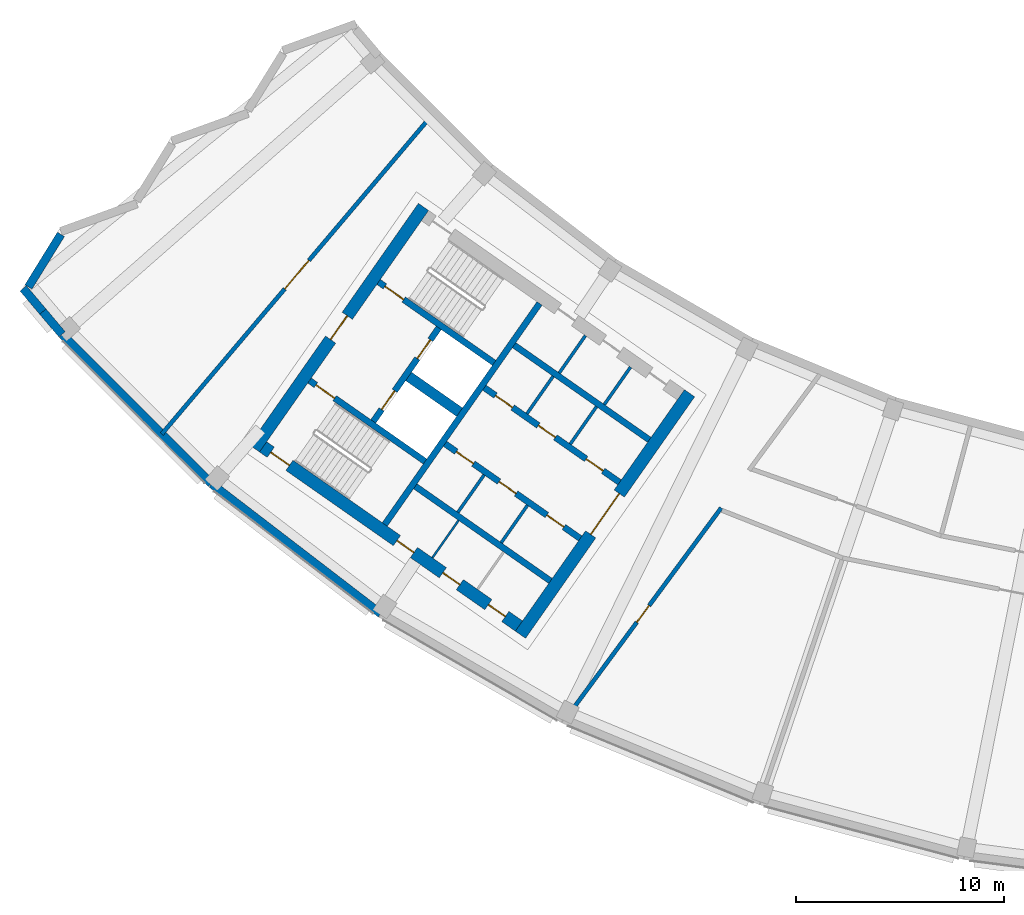
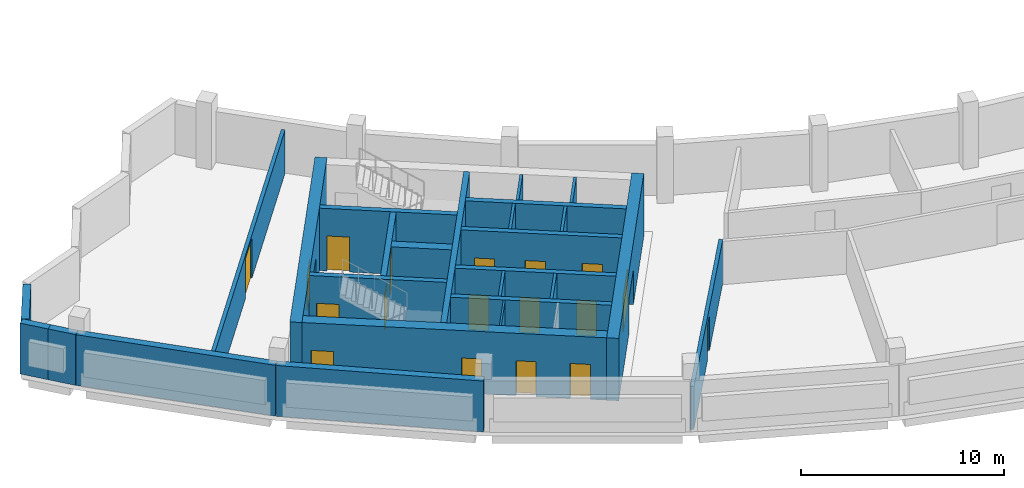
# One storey, part 3 of 11: 26 walls, 18 doors, 18 openings.
"""IFC4 building model written with IfcOpenShell, lengths in metres."""

from ifc_helpers import new_model, si_unit, direction, frame, frame_2d, origin, place, context, subcontext, project, spatial, rectangle, extrude, material, layer, layer_set, type_object, element, fill, save


model = new_model("IFC4")

# Units and contexts
model_context = context("Model", 3, precision=1e-05, world=origin(), true_north=direction((0.0, 1.0)))
body_context = subcontext(model_context, "Body", "Model", "MODEL_VIEW")
ifc_project = project(units=[si_unit("LENGTHUNIT", "METRE"), si_unit("AREAUNIT", "SQUARE_METRE"), si_unit("VOLUMEUNIT", "CUBIC_METRE"), si_unit("PLANEANGLEUNIT", "RADIAN"), si_unit("MASSUNIT", "GRAM", prefix="KILO")], contexts=[model_context])

# Site, building, storey
site_placement = place(None, origin())
site = spatial("IfcSite", under=ifc_project, at=site_placement, CompositionType="ELEMENT")
building_placement = place(site_placement, origin())
building = spatial("IfcBuilding", under=site, at=building_placement, Name="Qamariyya Broadcast Tower", CompositionType="ELEMENT")
storey_placement = place(building_placement, frame((0.0, 0.0, 306.699951171875)))
storey = spatial("IfcBuildingStorey", under=building, at=storey_placement, Name="L74", CompositionType="ELEMENT", Elevation=306.699951171875)

# Wall, opening, door
ifc_material_1 = material(Name="Concrete C60/75", Category="concrete")
ifc_layer_1 = layer(ifc_material_1, 0.60009765625)
ifc_layer_set_1 = layer_set([ifc_layer_1], Name="Core wall 600 mm Concrete C60/75")
wall_type_1 = type_object("IfcWallType", Name="Core wall 600 mm Concrete C60/75", PredefinedType="SHEAR", material=ifc_layer_set_1)
wall_1_placement = place(storey_placement, frame((-36.66748046875, -66.005126953125, 0.0), z_axis=(0.0, 0.0, 1.0), x_axis=(0.573568499524, 0.819157601658, 0.0)))
wall_1 = element("IfcWall", 1, at=wall_1_placement, inside=storey, type_object=wall_type_1, Name="k-W-L74-WA", PredefinedType="SHEAR", context=body_context, shape_type="SweptSolid", body=[
    extrude(rectangle(XDim=14.19970703125, YDim=0.60009765625, at=frame_2d((7.099853515625, 0.0))), origin(), (0.0, 0.0, 1.0), 3.75),
])
opening_1_placement = place(wall_1_placement, frame((5.89990234375, 0.0, 0.0)))
opening_1 = element("IfcOpeningElement", 2, at=opening_1_placement, cuts=wall_1, Name="Opening KD3-W1", PredefinedType="OPENING", context=body_context, shape_type="SweptSolid", body=[
    extrude(rectangle(XDim=2.39990234375, YDim=2.10009765625, at=frame_2d((1.199951171875, 1.050048828125))), frame((0.0, 0.31005859375, 0.0), z_axis=(0.0, -1.0, 0.0), x_axis=(1.0, 0.0, 0.0)), (0.0, 0.0, 1.0), 0.6201171875),
])
ifc_material_2 = material(Name="Steel fire-resisting door leaf", Category="steel")
door_type_1 = type_object("IfcDoorType", Name="Lift lobby door KD3", OperationType="DOUBLE_DOOR_SINGLE_SWING", PredefinedType="DOOR", material=ifc_material_2)
door_1_placement = place(opening_1_placement, origin())
door_1 = element("IfcDoor", 3, at=door_1_placement, inside=storey, type_object=door_type_1, Name="k-W-L74-WA-D1", OperationType="DOUBLE_DOOR_SINGLE_SWING", OverallHeight=2.10009765625, OverallWidth=2.39990234375, PredefinedType="DOOR", context=body_context, shape_type="SweptSolid", body=[
    extrude(rectangle(XDim=2.39990234375, YDim=2.10009765625, at=frame_2d((1.199951171875, 1.050048828125))), frame((0.0, 0.02490234375, 0.0), z_axis=(0.0, -1.0, 0.0), x_axis=(1.0, 0.0, 0.0)), (0.0, 0.0, 1.0), 0.050048828125),
])
fill(opening_1, door_1)

wall_2_placement = place(storey_placement, frame((-49.4833984375, -57.031494140625, 0.0), z_axis=(0.0, 0.0, 1.0), x_axis=(0.573560421458, 0.819163257805, 0.0)))
wall_2 = element("IfcWall", 4, at=wall_2_placement, inside=storey, type_object=wall_type_1, Name="k-W-L74-WH", PredefinedType="SHEAR", context=body_context, shape_type="SweptSolid", body=[
    extrude(rectangle(XDim=14.199951171875, YDim=0.60009765625, at=frame_2d((7.10009765625, 0.0))), origin(), (0.0, 0.0, 1.0), 3.75),
])
opening_2_placement = place(wall_2_placement, frame((6.39990234375, 0.0, 0.0)))
opening_2 = element("IfcOpeningElement", 5, at=opening_2_placement, cuts=wall_2, Name="Opening KD2-W1", PredefinedType="OPENING", context=body_context, shape_type="SweptSolid", body=[
    extrude(rectangle(XDim=1.39990234375, YDim=2.10009765625, at=frame_2d((0.699951171875, 1.050048828125))), frame((0.0, 0.31005859375, 0.0), z_axis=(0.0, -1.0, 0.0), x_axis=(1.0, 0.0, 0.0)), (0.0, 0.0, 1.0), 0.6201171875),
])
door_type_2 = type_object("IfcDoorType", Name="Fire-fighting lobby door KD2", OperationType="DOUBLE_DOOR_SINGLE_SWING", PredefinedType="DOOR", material=ifc_material_2)
door_2_placement = place(opening_2_placement, origin())
door_2 = element("IfcDoor", 6, at=door_2_placement, inside=storey, type_object=door_type_2, Name="k-W-L74-WH-D16", OperationType="DOUBLE_DOOR_SINGLE_SWING", OverallHeight=2.10009765625, OverallWidth=1.39990234375, PredefinedType="DOOR", context=body_context, shape_type="SweptSolid", body=[
    extrude(rectangle(XDim=1.39990234375, YDim=2.10009765625, at=frame_2d((0.699951171875, 1.050048828125))), frame((0.0, 0.02490234375, 0.0), z_axis=(0.0, -1.0, 0.0), x_axis=(1.0, 0.0, 0.0)), (0.0, 0.0, 1.0), 0.050048828125),
])
fill(opening_2, door_2)

# Wall, openings, doors
wall_3_placement = place(storey_placement, frame((-36.7412109375, -65.58740234375, 0.0), z_axis=(0.0, 0.0, 1.0), x_axis=(-0.819153391756, 0.573574511963, 0.0)))
wall_3 = element("IfcWall", 7, at=wall_3_placement, inside=storey, type_object=wall_type_1, Name="k-W-L74-WO", PredefinedType="SHEAR", context=body_context, shape_type="SweptSolid", body=[
    extrude(rectangle(XDim=15.04541015625, YDim=0.60009765625, at=frame_2d((7.522705078125, 0.0))), origin(), (0.0, 0.0, 1.0), 3.75),
])
opening_3_placement = place(wall_3_placement, frame((0.800048828125, 0.0, 0.0)))
opening_3 = element("IfcOpeningElement", 8, at=opening_3_placement, cuts=wall_3, Name="Opening KD4-W10", PredefinedType="OPENING", context=body_context, shape_type="SweptSolid", body=[
    extrude(rectangle(XDim=1.0, YDim=2.10009765625, at=frame_2d((0.5, 1.050048828125))), frame((0.0, 0.31005859375, 0.0), z_axis=(0.0, -1.0, 0.0), x_axis=(1.0, 0.0, 0.0)), (0.0, 0.0, 1.0), 0.6201171875),
])
opening_4_placement = place(wall_3_placement, frame((3.47509765625, 0.0, 0.0)))
opening_4 = element("IfcOpeningElement", 9, at=opening_4_placement, cuts=wall_3, Name="Opening KD4-W11", PredefinedType="OPENING", context=body_context, shape_type="SweptSolid", body=[
    extrude(rectangle(XDim=1.0, YDim=2.10009765625, at=frame_2d((0.5, 1.050048828125))), frame((0.0, 0.31005859375, 0.0), z_axis=(0.0, -1.0, 0.0), x_axis=(1.0, 0.0, 0.0)), (0.0, 0.0, 1.0), 0.6201171875),
])
opening_5_placement = place(wall_3_placement, frame((6.175048828125, 0.0, 0.0)))
opening_5 = element("IfcOpeningElement", 10, at=opening_5_placement, cuts=wall_3, Name="Opening KD4-W12", PredefinedType="OPENING", context=body_context, shape_type="SweptSolid", body=[
    extrude(rectangle(XDim=1.0, YDim=2.10009765625, at=frame_2d((0.5, 1.050048828125))), frame((0.0, 0.31005859375, 0.0), z_axis=(0.0, -1.0, 0.0), x_axis=(1.0, 0.0, 0.0)), (0.0, 0.0, 1.0), 0.6201171875),
])
opening_6_placement = place(wall_3_placement, frame((13.495361328125, 0.0, 0.0)))
opening_6 = element("IfcOpeningElement", 11, at=opening_6_placement, cuts=wall_3, Name="Opening KD1-W3", PredefinedType="OPENING", context=body_context, shape_type="SweptSolid", body=[
    extrude(rectangle(XDim=1.10009765625, YDim=2.10009765625, at=frame_2d((0.550048828125, 1.050048828125))), frame((0.0, 0.31005859375, 0.0), z_axis=(0.0, -1.0, 0.0), x_axis=(1.0, 0.0, 0.0)), (0.0, 0.0, 1.0), 0.6201171875),
])
door_type_3 = type_object("IfcDoorType", Name="Riser and plant door KD4", OperationType="SINGLE_SWING_LEFT", PredefinedType="DOOR", material=ifc_material_2)
door_3_placement = place(opening_3_placement, origin())
door_3 = element("IfcDoor", 12, at=door_3_placement, inside=storey, type_object=door_type_3, Name="k-W-L74-WO-D11", OperationType="SINGLE_SWING_RIGHT", OverallHeight=2.10009765625, OverallWidth=1.0, PredefinedType="DOOR", context=body_context, shape_type="SweptSolid", body=[
    extrude(rectangle(XDim=1.0, YDim=2.10009765625, at=frame_2d((0.5, 1.050048828125))), frame((0.0, 0.02490234375, 0.0), z_axis=(0.0, -1.0, 0.0), x_axis=(1.0, 0.0, 0.0)), (0.0, 0.0, 1.0), 0.050048828125),
])
fill(opening_3, door_3)
door_4_placement = place(opening_4_placement, origin())
door_4 = element("IfcDoor", 13, at=door_4_placement, inside=storey, type_object=door_type_3, Name="k-W-L74-WO-D12", OperationType="SINGLE_SWING_LEFT", OverallHeight=2.10009765625, OverallWidth=1.0, PredefinedType="DOOR", context=body_context, shape_type="SweptSolid", body=[
    extrude(rectangle(XDim=1.0, YDim=2.10009765625, at=frame_2d((0.5, 1.050048828125))), frame((0.0, 0.02490234375, 0.0), z_axis=(0.0, -1.0, 0.0), x_axis=(1.0, 0.0, 0.0)), (0.0, 0.0, 1.0), 0.050048828125),
])
fill(opening_4, door_4)
door_5_placement = place(opening_5_placement, origin())
door_5 = element("IfcDoor", 14, at=door_5_placement, inside=storey, type_object=door_type_3, Name="k-W-L74-WO-D13", OperationType="SINGLE_SWING_RIGHT", OverallHeight=2.10009765625, OverallWidth=1.0, PredefinedType="DOOR", context=body_context, shape_type="SweptSolid", body=[
    extrude(rectangle(XDim=1.0, YDim=2.10009765625, at=frame_2d((0.5, 1.050048828125))), frame((0.0, 0.02490234375, 0.0), z_axis=(0.0, -1.0, 0.0), x_axis=(1.0, 0.0, 0.0)), (0.0, 0.0, 1.0), 0.050048828125),
])
fill(opening_5, door_5)
door_type_4 = type_object("IfcDoorType", Name="Stair door KD1", OperationType="SINGLE_SWING_LEFT", PredefinedType="DOOR", material=ifc_material_2)
door_6_placement = place(opening_6_placement, origin())
door_6 = element("IfcDoor", 15, at=door_6_placement, inside=storey, type_object=door_type_4, Name="k-W-L74-WO-D19", OperationType="SINGLE_SWING_LEFT", OverallHeight=2.10009765625, OverallWidth=1.10009765625, PredefinedType="DOOR", context=body_context, shape_type="SweptSolid", body=[
    extrude(rectangle(XDim=1.10009765625, YDim=2.10009765625, at=frame_2d((0.550048828125, 1.050048828125))), frame((0.0, 0.02490234375, 0.0), z_axis=(0.0, -1.0, 0.0), x_axis=(1.0, 0.0, 0.0)), (0.0, 0.0, 1.0), 0.050048828125),
])
fill(opening_6, door_6)

# Walls
ifc_layer_2 = layer(ifc_material_1, 0.5)
ifc_layer_set_2 = layer_set([ifc_layer_2], Name="Fire-fighting lobby divider wall 500 mm Concrete C60/75")
wall_type_2 = type_object("IfcWallType", Name="Fire-fighting lobby divider wall 500 mm Concrete C60/75", PredefinedType="SOLIDWALL", material=ifc_layer_set_2)
wall_4_placement = place(storey_placement, frame((-39.59912109375, -55.28515625, 0.0), z_axis=(0.0, 0.0, 1.0), x_axis=(-0.819136323161, 0.573598887793, 0.0)))
element("IfcWall", 16, at=wall_4_placement, inside=storey, type_object=wall_type_2, Name="k-W-L74-FD", PredefinedType="SOLIDWALL", context=body_context, shape_type="SweptSolid", body=[
    extrude(rectangle(XDim=2.999755859375, YDim=0.5, at=frame_2d((1.5, 0.0))), origin(), (0.0, 0.0, 1.0), 3.75),
])
ifc_material_3 = material(Name="Gypsum board partition on steel studs", Category="steel")
ifc_layer_3 = layer(ifc_material_3, 0.14990234375)
ifc_layer_set_3 = layer_set([ifc_layer_3], Name="Gypsum board partition 150 mm")
wall_type_3 = type_object("IfcWallType", Name="Gypsum board partition 150 mm", PredefinedType="PARTITIONING", material=ifc_layer_set_3)
for number, where, z_axis, x_axis, name in (
    (17, (-34.26611328125, -56.822021484375, 0.0), (0.0, 0.0, 1.0), (0.573581496053, 0.819148501424, 0.0), "k-W-L74-NC300"),
    (18, (-36.35498046875, -55.359375, 0.0), (0.0, 0.0, 1.0), (0.573581496053, 0.819148501424, 0.0), "k-W-L74-NC555"),
):
    element("IfcWall", number, at=place(storey_placement, frame(where, z_axis=z_axis, x_axis=x_axis)), inside=storey, type_object=wall_type_3, Name=name, PredefinedType="PARTITIONING", context=body_context, shape_type="SweptSolid", body=[
        extrude(rectangle(XDim=2.2001953125, YDim=0.14990234375, at=frame_2d((1.10009765625, 0.0))), origin(), (0.0, 0.0, 1.0), 3.75),
    ])
for number, where, z_axis, x_axis, name in (
    (19, (-36.330810546875, -59.77099609375, 0.0), (0.0, 0.0, 1.0), (-0.573633636671, -0.819111989218, 0.0), "k-W-L74-SC300"),
    (20, (-38.419677734375, -58.308349609375, 0.0), (0.0, 0.0, 1.0), (-0.573633636671, -0.819111989218, 0.0), "k-W-L74-SC555"),
    (21, (-32.627197265625, -54.91748046875, 0.0), (0.0, 0.0, 1.0), (0.573507030513, 0.819200638399, 0.0), "k-W-L74-NP275"),
    (22, (-34.798095703125, -53.3974609375, 0.0), (0.0, 0.0, 1.0), (0.573633636671, 0.819111989218, 0.0), "k-W-L74-NP540"),
):
    element("IfcWall", number, at=place(storey_placement, frame(where, z_axis=z_axis, x_axis=x_axis)), inside=storey, type_object=wall_type_3, Name=name, PredefinedType="PARTITIONING", context=body_context, shape_type="SweptSolid", body=[
        extrude(rectangle(XDim=2.199951171875, YDim=0.14990234375, at=frame_2d((1.10009765625, 0.0))), origin(), (0.0, 0.0, 1.0), 3.75),
    ])
ifc_layer_4 = layer(ifc_material_1, 0.300048828125)
ifc_layer_set_4 = layer_set([ifc_layer_4], Name="Lift shaft wall 300 mm Concrete C60/75")
wall_type_4 = type_object("IfcWallType", Name="Lift shaft wall 300 mm Concrete C60/75", PredefinedType="SOLIDWALL", material=ifc_layer_set_4)
wall_5_placement = place(storey_placement, frame((-43.204345703125, -60.69580078125, 0.0), z_axis=(0.0, 0.0, 1.0), x_axis=(0.573571992966, 0.819155155563, 0.0)))
element("IfcWall", 23, at=wall_5_placement, inside=storey, type_object=wall_type_4, Name="k-W-L74-WL", PredefinedType="SOLIDWALL", context=body_context, shape_type="SweptSolid", body=[
    extrude(rectangle(XDim=13.000244140625, YDim=0.300048828125, at=frame_2d((6.5, 0.0))), origin(), (0.0, 0.0, 1.0), 3.75),
])

# Wall, openings, doors
wall_6_placement = place(storey_placement, frame((-31.89453125, -58.66552734375, 0.0), z_axis=(0.0, 0.0, 1.0), x_axis=(-0.819166993208, 0.573555086491, 0.0)))
wall_6 = element("IfcWall", 24, at=wall_6_placement, inside=storey, type_object=wall_type_4, Name="k-W-L74-NF0", PredefinedType="SOLIDWALL", context=body_context, shape_type="SweptSolid", body=[
    extrude(rectangle(XDim=7.9501953125, YDim=0.300048828125, at=frame_2d((3.97509765625, 0.0))), origin(), (0.0, 0.0, 1.0), 3.75),
])
opening_7_placement = place(wall_6_placement, frame((0.96240234375, 0.0, 0.0)))
opening_7 = element("IfcOpeningElement", 25, at=opening_7_placement, cuts=wall_6, Name="Opening KD4-W1", PredefinedType="OPENING", context=body_context, shape_type="SweptSolid", body=[
    extrude(rectangle(XDim=1.0, YDim=2.10009765625, at=frame_2d((0.5, 1.050048828125))), frame((0.0, 0.159912109375, 0.0), z_axis=(0.0, -1.0, 0.0), x_axis=(1.0, 0.0, 0.0)), (0.0, 0.0, 1.0), 0.320068359375),
])
opening_8_placement = place(wall_6_placement, frame((3.77490234375, 0.0, 0.0)))
opening_8 = element("IfcOpeningElement", 26, at=opening_8_placement, cuts=wall_6, Name="Opening KD4-W2", PredefinedType="OPENING", context=body_context, shape_type="SweptSolid", body=[
    extrude(rectangle(XDim=1.0, YDim=2.10009765625, at=frame_2d((0.5, 1.050048828125))), frame((0.0, 0.159912109375, 0.0), z_axis=(0.0, -1.0, 0.0), x_axis=(1.0, 0.0, 0.0)), (0.0, 0.0, 1.0), 0.320068359375),
])
opening_9_placement = place(wall_6_placement, frame((6.28759765625, 0.0, 0.0)))
opening_9 = element("IfcOpeningElement", 27, at=opening_9_placement, cuts=wall_6, Name="Opening KD4-W3", PredefinedType="OPENING", context=body_context, shape_type="SweptSolid", body=[
    extrude(rectangle(XDim=1.0, YDim=2.10009765625, at=frame_2d((0.5, 1.050048828125))), frame((0.0, 0.159912109375, 0.0), z_axis=(0.0, -1.0, 0.0), x_axis=(1.0, 0.0, 0.0)), (0.0, 0.0, 1.0), 0.320068359375),
])
door_7_placement = place(opening_7_placement, origin())
door_7 = element("IfcDoor", 28, at=door_7_placement, inside=storey, type_object=door_type_3, Name="k-W-L74-NF0-D2", OperationType="SINGLE_SWING_LEFT", OverallHeight=2.10009765625, OverallWidth=1.0, PredefinedType="DOOR", context=body_context, shape_type="SweptSolid", body=[
    extrude(rectangle(XDim=1.0, YDim=2.10009765625, at=frame_2d((0.5, 1.050048828125))), frame((0.0, 0.02490234375, 0.0), z_axis=(0.0, -1.0, 0.0), x_axis=(1.0, 0.0, 0.0)), (0.0, 0.0, 1.0), 0.050048828125),
])
fill(opening_7, door_7)
door_8_placement = place(opening_8_placement, origin())
door_8 = element("IfcDoor", 29, at=door_8_placement, inside=storey, type_object=door_type_3, Name="k-W-L74-NF0-D3", OperationType="SINGLE_SWING_RIGHT", OverallHeight=2.10009765625, OverallWidth=1.0, PredefinedType="DOOR", context=body_context, shape_type="SweptSolid", body=[
    extrude(rectangle(XDim=1.0, YDim=2.10009765625, at=frame_2d((0.5, 1.050048828125))), frame((0.0, 0.02490234375, 0.0), z_axis=(0.0, -1.0, 0.0), x_axis=(1.0, 0.0, 0.0)), (0.0, 0.0, 1.0), 0.050048828125),
])
fill(opening_8, door_8)
door_9_placement = place(opening_9_placement, origin())
door_9 = element("IfcDoor", 30, at=door_9_placement, inside=storey, type_object=door_type_3, Name="k-W-L74-NF0-D4", OperationType="SINGLE_SWING_LEFT", OverallHeight=2.10009765625, OverallWidth=1.0, PredefinedType="DOOR", context=body_context, shape_type="SweptSolid", body=[
    extrude(rectangle(XDim=1.0, YDim=2.10009765625, at=frame_2d((0.5, 1.050048828125))), frame((0.0, 0.02490234375, 0.0), z_axis=(0.0, -1.0, 0.0), x_axis=(1.0, 0.0, 0.0)), (0.0, 0.0, 1.0), 0.050048828125),
])
fill(opening_9, door_9)

# Wall
wall_7_placement = place(storey_placement, frame((-30.460693359375, -56.61767578125, 0.0), z_axis=(0.0, 0.0, 1.0), x_axis=(-0.819142461705, 0.573590121456, 0.0)))
element("IfcWall", 31, at=wall_7_placement, inside=storey, type_object=wall_type_4, Name="k-W-L74-NB0", PredefinedType="SOLIDWALL", context=body_context, shape_type="SweptSolid", body=[
    extrude(rectangle(XDim=7.949951171875, YDim=0.300048828125, at=frame_2d((3.97509765625, 0.0))), origin(), (0.0, 0.0, 1.0), 3.75),
])

# Wall, openings, doors
wall_8_placement = place(storey_placement, frame((-33.787353515625, -61.368896484375, 0.0), z_axis=(0.0, 0.0, 1.0), x_axis=(-0.819152564888, 0.573575692858, 0.0)))
wall_8 = element("IfcWall", 32, at=wall_8_placement, inside=storey, type_object=wall_type_4, Name="k-W-L74-SF0", PredefinedType="SOLIDWALL", context=body_context, shape_type="SweptSolid", body=[
    extrude(rectangle(XDim=7.9501953125, YDim=0.300048828125, at=frame_2d((3.97509765625, 0.0))), origin(), (0.0, 0.0, 1.0), 3.75),
])
opening_10_placement = place(wall_8_placement, frame((0.96240234375, 0.0, 0.0)))
opening_10 = element("IfcOpeningElement", 33, at=opening_10_placement, cuts=wall_8, Name="Opening KD4-W4", PredefinedType="OPENING", context=body_context, shape_type="SweptSolid", body=[
    extrude(rectangle(XDim=1.0, YDim=2.10009765625, at=frame_2d((0.5, 1.050048828125))), frame((0.0, 0.159912109375, 0.0), z_axis=(0.0, -1.0, 0.0), x_axis=(1.0, 0.0, 0.0)), (0.0, 0.0, 1.0), 0.320068359375),
])
opening_11_placement = place(wall_8_placement, frame((3.77490234375, 0.0, 0.0)))
opening_11 = element("IfcOpeningElement", 34, at=opening_11_placement, cuts=wall_8, Name="Opening KD4-W5", PredefinedType="OPENING", context=body_context, shape_type="SweptSolid", body=[
    extrude(rectangle(XDim=1.0, YDim=2.10009765625, at=frame_2d((0.5, 1.050048828125))), frame((0.0, 0.159912109375, 0.0), z_axis=(0.0, -1.0, 0.0), x_axis=(1.0, 0.0, 0.0)), (0.0, 0.0, 1.0), 0.320068359375),
])
opening_12_placement = place(wall_8_placement, frame((6.28759765625, 0.0, 0.0)))
opening_12 = element("IfcOpeningElement", 35, at=opening_12_placement, cuts=wall_8, Name="Opening KD4-W6", PredefinedType="OPENING", context=body_context, shape_type="SweptSolid", body=[
    extrude(rectangle(XDim=1.0, YDim=2.10009765625, at=frame_2d((0.5, 1.050048828125))), frame((0.0, 0.159912109375, 0.0), z_axis=(0.0, -1.0, 0.0), x_axis=(1.0, 0.0, 0.0)), (0.0, 0.0, 1.0), 0.320068359375),
])
door_10_placement = place(opening_10_placement, origin())
door_10 = element("IfcDoor", 36, at=door_10_placement, inside=storey, type_object=door_type_3, Name="k-W-L74-SF0-D5", OperationType="SINGLE_SWING_RIGHT", OverallHeight=2.10009765625, OverallWidth=1.0, PredefinedType="DOOR", context=body_context, shape_type="SweptSolid", body=[
    extrude(rectangle(XDim=1.0, YDim=2.10009765625, at=frame_2d((0.5, 1.050048828125))), frame((0.0, 0.02490234375, 0.0), z_axis=(0.0, -1.0, 0.0), x_axis=(1.0, 0.0, 0.0)), (0.0, 0.0, 1.0), 0.050048828125),
])
fill(opening_10, door_10)
door_11_placement = place(opening_11_placement, origin())
door_11 = element("IfcDoor", 37, at=door_11_placement, inside=storey, type_object=door_type_3, Name="k-W-L74-SF0-D6", OperationType="SINGLE_SWING_LEFT", OverallHeight=2.10009765625, OverallWidth=1.0, PredefinedType="DOOR", context=body_context, shape_type="SweptSolid", body=[
    extrude(rectangle(XDim=1.0, YDim=2.10009765625, at=frame_2d((0.5, 1.050048828125))), frame((0.0, 0.02490234375, 0.0), z_axis=(0.0, -1.0, 0.0), x_axis=(1.0, 0.0, 0.0)), (0.0, 0.0, 1.0), 0.050048828125),
])
fill(opening_11, door_11)
door_12_placement = place(opening_12_placement, origin())
door_12 = element("IfcDoor", 38, at=door_12_placement, inside=storey, type_object=door_type_3, Name="k-W-L74-SF0-D7", OperationType="SINGLE_SWING_RIGHT", OverallHeight=2.10009765625, OverallWidth=1.0, PredefinedType="DOOR", context=body_context, shape_type="SweptSolid", body=[
    extrude(rectangle(XDim=1.0, YDim=2.10009765625, at=frame_2d((0.5, 1.050048828125))), frame((0.0, 0.02490234375, 0.0), z_axis=(0.0, -1.0, 0.0), x_axis=(1.0, 0.0, 0.0)), (0.0, 0.0, 1.0), 0.050048828125),
])
fill(opening_12, door_12)

# Wall
wall_9_placement = place(storey_placement, frame((-35.22119140625, -63.41650390625, 0.0), z_axis=(0.0, 0.0, 1.0), x_axis=(-0.819166993208, 0.573555086491, 0.0)))
element("IfcWall", 39, at=wall_9_placement, inside=storey, type_object=wall_type_4, Name="k-W-L74-SB0", PredefinedType="SOLIDWALL", context=body_context, shape_type="SweptSolid", body=[
    extrude(rectangle(XDim=7.9501953125, YDim=0.300048828125, at=frame_2d((3.97509765625, 0.0))), origin(), (0.0, 0.0, 1.0), 3.75),
])

# Wall, opening, door
wall_10_placement = place(storey_placement, frame((-37.935546875, -52.90966796875, 0.0), z_axis=(0.0, 0.0, 1.0), x_axis=(-0.819147518138, 0.57358290031, 0.0)))
wall_10 = element("IfcWall", 40, at=wall_10_placement, inside=storey, type_object=wall_type_4, Name="k-W-L74-NW", PredefinedType="SOLIDWALL", context=body_context, shape_type="SweptSolid", body=[
    extrude(rectangle(XDim=6.79541015625, YDim=0.300048828125, at=frame_2d((3.397705078125, 0.0))), origin(), (0.0, 0.0, 1.0), 3.75),
])
opening_13_placement = place(wall_10_placement, frame((5.3203125, 0.0, 0.0)))
opening_13 = element("IfcOpeningElement", 41, at=opening_13_placement, cuts=wall_10, Name="Opening KD1-W2", PredefinedType="OPENING", context=body_context, shape_type="SweptSolid", body=[
    extrude(rectangle(XDim=1.10009765625, YDim=2.10009765625, at=frame_2d((0.550048828125, 1.050048828125))), frame((0.0, 0.159912109375, 0.0), z_axis=(0.0, -1.0, 0.0), x_axis=(1.0, 0.0, 0.0)), (0.0, 0.0, 1.0), 0.320068359375),
])
door_13_placement = place(opening_13_placement, origin())
door_13 = element("IfcDoor", 42, at=door_13_placement, inside=storey, type_object=door_type_4, Name="k-W-L74-NW-D18", OperationType="SINGLE_SWING_LEFT", OverallHeight=2.10009765625, OverallWidth=1.10009765625, PredefinedType="DOOR", context=body_context, shape_type="SweptSolid", body=[
    extrude(rectangle(XDim=1.10009765625, YDim=2.10009765625, at=frame_2d((0.550048828125, 1.050048828125))), frame((0.0, 0.02490234375, 0.0), z_axis=(0.0, -1.0, 0.0), x_axis=(1.0, 0.0, 0.0)), (0.0, 0.0, 1.0), 0.050048828125),
])
fill(opening_13, door_13)

wall_11_placement = place(storey_placement, frame((-41.262451171875, -57.66064453125, 0.0), z_axis=(0.0, 0.0, 1.0), x_axis=(-0.819164398642, 0.573558792102, 0.0)))
wall_11 = element("IfcWall", 43, at=wall_11_placement, inside=storey, type_object=wall_type_4, Name="k-W-L74-SW", PredefinedType="SOLIDWALL", context=body_context, shape_type="SweptSolid", body=[
    extrude(rectangle(XDim=6.795166015625, YDim=0.300048828125, at=frame_2d((3.3974609375, 0.0))), origin(), (0.0, 0.0, 1.0), 3.75),
])
opening_14_placement = place(wall_11_placement, frame((5.3203125, 0.0, 0.0)))
opening_14 = element("IfcOpeningElement", 44, at=opening_14_placement, cuts=wall_11, Name="Opening KD1-W4", PredefinedType="OPENING", context=body_context, shape_type="SweptSolid", body=[
    extrude(rectangle(XDim=1.10009765625, YDim=2.10009765625, at=frame_2d((0.550048828125, 1.050048828125))), frame((0.0, 0.159912109375, 0.0), z_axis=(0.0, -1.0, 0.0), x_axis=(1.0, 0.0, 0.0)), (0.0, 0.0, 1.0), 0.320068359375),
])
door_14_placement = place(opening_14_placement, origin())
door_14 = element("IfcDoor", 45, at=door_14_placement, inside=storey, type_object=door_type_4, Name="k-W-L74-SW-D20", OperationType="SINGLE_SWING_LEFT", OverallHeight=2.10009765625, OverallWidth=1.10009765625, PredefinedType="DOOR", context=body_context, shape_type="SweptSolid", body=[
    extrude(rectangle(XDim=1.10009765625, YDim=2.10009765625, at=frame_2d((0.550048828125, 1.050048828125))), frame((0.0, 0.02490234375, 0.0), z_axis=(0.0, -1.0, 0.0), x_axis=(1.0, 0.0, 0.0)), (0.0, 0.0, 1.0), 0.050048828125),
])
fill(opening_14, door_14)

# Wall, openings, doors
wall_12_placement = place(storey_placement, frame((-43.756591796875, -55.731201171875, 0.0), z_axis=(0.0, 0.0, 1.0), x_axis=(0.573536818435, 0.819179783625, 0.0)))
wall_12 = element("IfcWall", 46, at=wall_12_placement, inside=storey, type_object=wall_type_4, Name="k-W-L74-FF", PredefinedType="SOLIDWALL", context=body_context, shape_type="SweptSolid", body=[
    extrude(rectangle(XDim=5.500244140625, YDim=0.300048828125, at=frame_2d((2.75, 0.0))), origin(), (0.0, 0.0, 1.0), 3.75),
])
opening_15_placement = place(wall_12_placement, frame((0.699951171875, 0.0, 0.0)))
opening_15 = element("IfcOpeningElement", 47, at=opening_15_placement, cuts=wall_12, Name="Opening LD", PredefinedType="OPENING", context=body_context, shape_type="SweptSolid", body=[
    extrude(rectangle(XDim=1.10009765625, YDim=2.10009765625, at=frame_2d((0.550048828125, 1.050048828125))), frame((0.0, 0.159912109375, 0.0), z_axis=(0.0, -1.0, 0.0), x_axis=(1.0, 0.0, 0.0)), (0.0, 0.0, 1.0), 0.320068359375),
])
opening_16_placement = place(wall_12_placement, frame((3.699951171875, 0.0, 0.0)))
opening_16 = element("IfcOpeningElement", 48, at=opening_16_placement, cuts=wall_12, Name="Opening LD", PredefinedType="OPENING", context=body_context, shape_type="SweptSolid", body=[
    extrude(rectangle(XDim=1.10009765625, YDim=2.10009765625, at=frame_2d((0.550048828125, 1.050048828125))), frame((0.0, 0.159912109375, 0.0), z_axis=(0.0, -1.0, 0.0), x_axis=(1.0, 0.0, 0.0)), (0.0, 0.0, 1.0), 0.320068359375),
])
door_type_5 = type_object("IfcDoorType", Name="Lift landing door LD", OperationType="DOUBLE_DOOR_SLIDING", PredefinedType="DOOR", material=ifc_material_2)
door_15_placement = place(opening_15_placement, origin())
door_15 = element("IfcDoor", 49, at=door_15_placement, inside=storey, type_object=door_type_5, Name="k-W-L74-FF-D14", OperationType="DOUBLE_DOOR_SLIDING", OverallHeight=2.10009765625, OverallWidth=1.10009765625, PredefinedType="DOOR", context=body_context, shape_type="SweptSolid", body=[
    extrude(rectangle(XDim=1.10009765625, YDim=2.10009765625, at=frame_2d((0.550048828125, 1.050048828125))), frame((0.0, 0.02490234375, 0.0), z_axis=(0.0, -1.0, 0.0), x_axis=(1.0, 0.0, 0.0)), (0.0, 0.0, 1.0), 0.050048828125),
])
fill(opening_15, door_15)
door_16_placement = place(opening_16_placement, origin())
door_16 = element("IfcDoor", 50, at=door_16_placement, inside=storey, type_object=door_type_5, Name="k-W-L74-FF-D15", OperationType="DOUBLE_DOOR_SLIDING", OverallHeight=2.10009765625, OverallWidth=1.10009765625, PredefinedType="DOOR", context=body_context, shape_type="SweptSolid", body=[
    extrude(rectangle(XDim=1.10009765625, YDim=2.10009765625, at=frame_2d((0.550048828125, 1.050048828125))), frame((0.0, 0.02490234375, 0.0), z_axis=(0.0, -1.0, 0.0), x_axis=(1.0, 0.0, 0.0)), (0.0, 0.0, 1.0), 0.050048828125),
])
fill(opening_16, door_16)

# Wall, opening, door
ifc_material_4 = material(Name="Masonry block wall", Category="masonry")
ifc_layer_5 = layer(ifc_material_4, 0.199951171875)
ifc_layer_set_5 = layer_set([ifc_layer_5], Name="Plant room wall 200 EI 120")
wall_type_5 = type_object("IfcWallType", Name="Plant room wall 200 EI 120", PredefinedType="PARTITIONING", material=ifc_layer_set_5)
wall_13_placement = place(storey_placement, frame((-53.946044921875, -56.33837890625, 0.0), z_axis=(0.0, 0.0, 1.0), x_axis=(0.646426079671, 0.76297662056, 0.0)))
wall_13 = element("IfcWall", 51, at=wall_13_placement, inside=storey, type_object=wall_type_5, Name="Partition L74-001", PredefinedType="PARTITIONING", context=body_context, shape_type="SweptSolid", body=[
    extrude(rectangle(XDim=20.1259765625, YDim=0.199951171875, at=frame_2d((10.06298828125, 0.0))), origin(), (0.0, 0.0, 1.0), 2.60009765625),
])
opening_17_placement = place(wall_13_placement, frame((9.1630859375, 0.0, 0.0)))
opening_17 = element("IfcOpeningElement", 52, at=opening_17_placement, cuts=wall_13, Name="Opening L74-D11", PredefinedType="OPENING", context=body_context, shape_type="SweptSolid", body=[
    extrude(rectangle(XDim=1.800048828125, YDim=2.39990234375, at=frame_2d((0.89990234375, 1.199951171875))), frame((0.0, 0.10986328125, 0.0), z_axis=(0.0, -1.0, 0.0), x_axis=(1.0, 0.0, 0.0)), (0.0, 0.0, 1.0), 0.219970703125),
])
ifc_material_5 = material(Name="Insulated metal door leaf")
door_type_6 = type_object("IfcDoorType", Name="Plant double door 1800 x 2400 FD120", OperationType="NOTDEFINED", PredefinedType="DOOR", material=ifc_material_5)
door_17_placement = place(opening_17_placement, origin())
door_17 = element("IfcDoor", 53, at=door_17_placement, inside=storey, type_object=door_type_6, Name="Door L74-D11", OperationType="DOUBLE_DOOR_SINGLE_SWING", OverallHeight=2.39990234375, OverallWidth=1.800048828125, PredefinedType="DOOR", context=body_context, shape_type="SweptSolid", body=[
    extrude(rectangle(XDim=1.800048828125, YDim=2.39990234375, at=frame_2d((0.89990234375, 1.199951171875))), frame((0.0, 0.02490234375, 0.0), z_axis=(0.0, -1.0, 0.0), x_axis=(1.0, 0.0, 0.0)), (0.0, 0.0, 1.0), 0.050048828125),
])
fill(opening_17, door_17)

wall_14_placement = place(storey_placement, frame((-26.998046875, -59.89892578125, 0.0), z_axis=(0.0, 0.0, 1.0), x_axis=(-0.593866233023, -0.804563793167, 0.0)))
wall_14 = element("IfcWall", 54, at=wall_14_placement, inside=storey, type_object=wall_type_5, Name="Partition L74-002", PredefinedType="PARTITIONING", context=body_context, shape_type="SweptSolid", body=[
    extrude(rectangle(XDim=12.6904296875, YDim=0.199951171875, at=frame_2d((6.34521484375, 0.0))), origin(), (0.0, 0.0, 1.0), 2.60009765625),
])
opening_18_placement = place(wall_14_placement, frame((5.84521484375, 0.0, 0.0)))
opening_18 = element("IfcOpeningElement", 55, at=opening_18_placement, cuts=wall_14, Name="Opening L74-D01", PredefinedType="OPENING", context=body_context, shape_type="SweptSolid", body=[
    extrude(rectangle(XDim=1.0, YDim=2.10009765625, at=frame_2d((0.5, 1.050048828125))), frame((0.0, 0.10986328125, 0.0), z_axis=(0.0, -1.0, 0.0), x_axis=(1.0, 0.0, 0.0)), (0.0, 0.0, 1.0), 0.219970703125),
])
door_type_7 = type_object("IfcDoorType", Name="Plant door 1000 x 2100 FD120", OperationType="NOTDEFINED", PredefinedType="DOOR", material=ifc_material_5)
door_18_placement = place(opening_18_placement, origin())
door_18 = element("IfcDoor", 56, at=door_18_placement, inside=storey, type_object=door_type_7, Name="Door L74-D01", OperationType="SINGLE_SWING_RIGHT", OverallHeight=2.10009765625, OverallWidth=1.0, PredefinedType="DOOR", context=body_context, shape_type="SweptSolid", body=[
    extrude(rectangle(XDim=1.0, YDim=2.10009765625, at=frame_2d((0.5, 1.050048828125))), frame((0.0, 0.02490234375, 0.0), z_axis=(0.0, -1.0, 0.0), x_axis=(1.0, 0.0, 0.0)), (0.0, 0.0, 1.0), 0.050048828125),
])
fill(opening_18, door_18)

# Walls
ifc_material_6 = material(Name="Fire-rated gypsum shaft liner on steel studs", Category="steel")
ifc_layer_6 = layer(ifc_material_6, 0.10009765625)
ifc_layer_set_6 = layer_set([ifc_layer_6], Name="Riser wall 100 mm")
wall_type_6 = type_object("IfcWallType", Name="Riser wall 100 mm", PredefinedType="PLUMBINGWALL", material=ifc_layer_set_6)
wall_15_placement = place(storey_placement, frame((-39.64892578125, -60.49951171875, 0.0), z_axis=(0.0, 0.0, 1.0), x_axis=(-0.573507030513, -0.819200638399, 0.0)))
element("IfcWall", 57, at=wall_15_placement, inside=storey, type_object=wall_type_6, Name="k-W-L74-SP530", PredefinedType="PLUMBINGWALL", context=body_context, shape_type="SweptSolid", body=[
    extrude(rectangle(XDim=2.199951171875, YDim=0.10009765625, at=frame_2d((1.10009765625, 0.0))), origin(), (0.0, 0.0, 1.0), 3.75),
])
ifc_material_7 = material(Name="Terracotta", Category="masonry")
ifc_layer_7 = layer(ifc_material_7, 0.39990234375)
ifc_layer_set_7 = layer_set([ifc_layer_7], Name="Solid terracotta louvred band wall 400")
wall_type_7 = type_object("IfcWallType", Name="Solid terracotta louvred band wall 400", PredefinedType="SOLIDWALL", material=ifc_layer_set_7)
wall_16_placement = place(storey_placement, frame((-58.805419921875, -46.720458984375, 0.0), z_axis=(0.0, 0.0, 1.0), x_axis=(-0.525538284274, -0.850769952315, 0.0)))
element("IfcWall", 58, at=wall_16_placement, inside=storey, type_object=wall_type_7, Name="e-wl-L74-capW5", PredefinedType="SOLIDWALL", context=body_context, shape_type="SweptSolid", body=[
    extrude(rectangle(XDim=2.976318359375, YDim=0.39990234375, at=frame_2d((1.48828125, 0.0))), origin(), (0.0, 0.0, 1.0), 3.050048828125),
])
wall_17_placement = place(storey_placement, frame((-60.623046875, -49.3193359375, 0.0), z_axis=(0.0, 0.0, 1.0), x_axis=(0.645510358639, -0.763751515148, 0.0)))
element("IfcWall", 59, at=wall_17_placement, inside=storey, type_object=wall_type_7, Name="e-wl-L74-out00", PredefinedType="SOLIDWALL", context=body_context, shape_type="SweptSolid", body=[
    extrude(rectangle(XDim=1.47021484375, YDim=0.39990234375, at=frame_2d((0.735107421875, 0.0))), origin(), (0.0, 0.0, 1.0), 3.050048828125),
])
wall_18_placement = place(storey_placement, frame((-59.674072265625, -50.442138671875, 0.0), z_axis=(0.0, 0.0, 1.0), x_axis=(0.645651771062, -0.763631973221, 0.0)))
element("IfcWall", 60, at=wall_18_placement, inside=storey, type_object=wall_type_7, Name="e-wl-L74-out01", PredefinedType="SOLIDWALL", context=body_context, shape_type="SweptSolid", body=[
    extrude(rectangle(XDim=1.431884765625, YDim=0.39990234375, at=frame_2d((0.7158203125, 0.0))), origin(), (0.0, 0.0, 1.0), 3.050048828125),
])
wall_19_placement = place(storey_placement, frame((-58.737060546875, -51.546630859375, 0.0), z_axis=(0.0, 0.0, 1.0), x_axis=(0.707118813872, -0.707094748296, 0.0)))
element("IfcWall", 61, at=wall_19_placement, inside=storey, type_object=wall_type_7, Name="e-wl-L74-out10", PredefinedType="SOLIDWALL", context=body_context, shape_type="SweptSolid", body=[
    extrude(rectangle(XDim=10.144775390625, YDim=0.39990234375, at=frame_2d((5.072265625, 0.0))), origin(), (0.0, 0.0, 1.0), 3.050048828125),
])
wall_20_placement = place(storey_placement, frame((-51.54736328125, -58.74072265625, 0.0), z_axis=(0.0, 0.0, 1.0), x_axis=(0.793354972355, -0.608759302055, 0.0)))
element("IfcWall", 62, at=wall_20_placement, inside=storey, type_object=wall_type_7, Name="e-wl-L74-out20", PredefinedType="SOLIDWALL", context=body_context, shape_type="SweptSolid", body=[
    extrude(rectangle(XDim=10.2724609375, YDim=0.39990234375, at=frame_2d((5.13623046875, 0.0))), origin(), (0.0, 0.0, 1.0), 3.050048828125),
])

save(model, "model.ifc")
